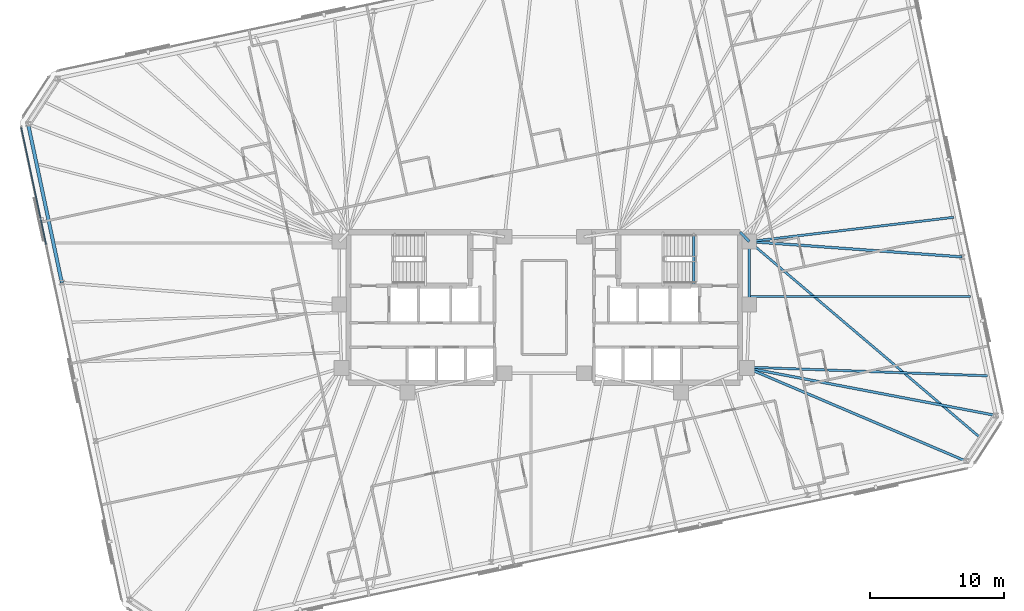
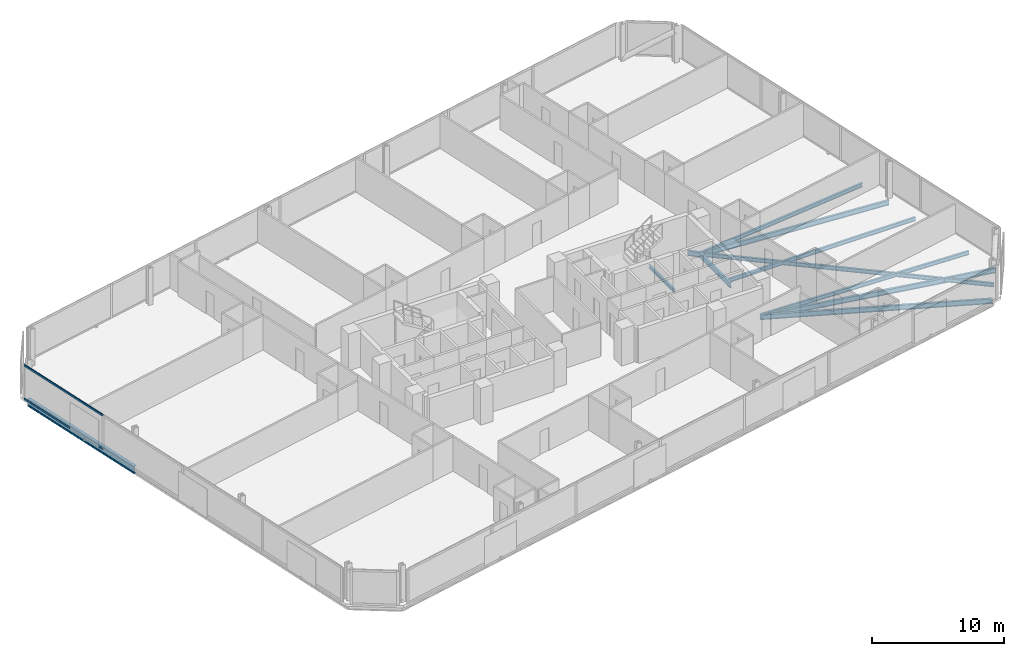
# One storey, part 8 of 19: 11 beams, 2 members, 1 element without a shape of its own.
"""IFC4 building model written with IfcOpenShell, lengths in metres."""

from ifc_helpers import new_model, si_unit, direction, frame, origin, origin_2d, place, context, subcontext, project, spatial, rectangle, i_section, extrude, material, material_profile, profile_set, type_object, element, aggregate, save


model = new_model("IFC4")

# Units and contexts
model_context = context("Model", 3, precision=1e-05, world=origin(), true_north=direction((0.0, 1.0)))
body_context = subcontext(model_context, "Body", "Model", "MODEL_VIEW")
ifc_project = project(units=[si_unit("LENGTHUNIT", "METRE"), si_unit("AREAUNIT", "SQUARE_METRE"), si_unit("VOLUMEUNIT", "CUBIC_METRE"), si_unit("PLANEANGLEUNIT", "RADIAN"), si_unit("MASSUNIT", "GRAM", prefix="KILO")], contexts=[model_context])

# Site, building, storey
site_placement = place(None, origin())
site = spatial("IfcSite", under=ifc_project, at=site_placement, CompositionType="ELEMENT")
building_placement = place(site_placement, origin())
building = spatial("IfcBuilding", under=site, at=building_placement, Name="Menara Jurai Vektor", CompositionType="ELEMENT")
storey_placement = place(building_placement, frame((0.0, 0.0, 195.60009765625)))
storey = spatial("IfcBuildingStorey", under=building, at=storey_placement, Name="L51", CompositionType="ELEMENT", Elevation=195.60009765625)

# Curtain wall, members
ifc_material_1 = material(Name="Anodised Pale Aluminium & Low-E Double Glazing", Category="aluminium")
curtain_wall_type = type_object("IfcCurtainWallType", Name="CW-BLK3", PredefinedType="NOTDEFINED", material=ifc_material_1)
curtain_wall_placement = place(storey_placement, origin())
curtain_wall = element("IfcCurtainWall", 1, at=curtain_wall_placement, inside=storey, type_object=curtain_wall_type, Name="Unitised Curtain Wall L51 F07", PredefinedType="NOTDEFINED")
ifc_material_2 = material(Name="Anodised Pale Aluminium Transom", Category="aluminium")
ifc_material_profile_1 = material_profile(ifc_material_2, rectangle(XDim=0.0849609375, YDim=0.175048828125, at=origin_2d()), Name="ALU TRN 85x175")
ifc_profile_set_1 = profile_set([ifc_material_profile_1], Name="Anodised Pale Aluminium Transom")
member_type = type_object("IfcMemberType", Name="CW-BLK3-TRN", PredefinedType="USERDEFINED", material=ifc_profile_set_1)
member_1_placement = place(storey_placement, frame((-38.896728515625, 13.378173828125, 0.04248046875), z_axis=(0.207899517354, -0.978150188204, 0.0), x_axis=(0.978150188204, 0.207899517354, 0.0)))
member_1 = element("IfcMember", 2, at=member_1_placement, type_object=member_type, Name="CW-03 transom 1.1", ObjectType="TRANSOM", PredefinedType="USERDEFINED", context=body_context, shape_type="SweptSolid", body=[
    extrude(rectangle(XDim=0.0849609375, YDim=0.175048828125, at=origin_2d()), origin(), (0.0, 0.0, 1.0), 8.882568359375),
])
member_2_placement = place(storey_placement, frame((-38.896728515625, 13.378173828125, 3.13232421875), z_axis=(0.207899517354, -0.978150188204, 0.0), x_axis=(0.978150188204, 0.207899517354, 0.0)))
member_2 = element("IfcMember", 3, at=member_2_placement, type_object=member_type, Name="CW-03 transom 1.2", ObjectType="TRANSOM", PredefinedType="USERDEFINED", context=body_context, shape_type="SweptSolid", body=[
    extrude(rectangle(XDim=0.0849609375, YDim=0.175048828125, at=origin_2d()), origin(), (0.0, 0.0, 1.0), 8.882568359375),
])
aggregate(curtain_wall, [member_1, member_2])

# Beams
ifc_material_3 = material(Name="Steel S355", Category="steel")
ifc_material_profile_2 = material_profile(ifc_material_3, i_section(OverallWidth=0.19091796875, OverallDepth=0.4599609375, WebThickness=0.010009765625, FlangeThickness=0.01611328125, FilletRadius=0.010009765625, at=origin_2d()), Name="UKB 457x191x82")
ifc_profile_set_2 = profile_set([ifc_material_profile_2], Name="Steel S355")
beam_type_1 = type_object("IfcBeamType", Name="STR-BM-457", PredefinedType="BEAM", material=ifc_profile_set_2)
beam_1_placement = place(storey_placement, frame((14.56005859375, 5.60009765625, -0.455078125), z_axis=(0.701871936926, -0.712303154672, 0.0), x_axis=(0.712303154672, 0.701871936926, 0.0)))
element("IfcBeam", 4, at=beam_1_placement, inside=storey, type_object=beam_type_1, Name="Core Ring Header Girder L51-CHE-N2", PredefinedType="BEAM", context=body_context, shape_type="SweptSolid", body=[
    extrude(i_section(OverallWidth=0.19091796875, OverallDepth=0.4599609375, WebThickness=0.010009765625, FlangeThickness=0.01611328125, FilletRadius=0.010009765625, at=origin_2d()), origin(), (0.0, 0.0, 1.0), 0.98291015625),
])
beam_2_placement = place(storey_placement, frame((15.25, 0.219970703125, -0.455078125), z_axis=(0.0, 1.0, 0.0), x_axis=(-1.0, 0.0, 0.0)))
element("IfcBeam", 5, at=beam_2_placement, inside=storey, type_object=beam_type_1, Name="Core Ring Header Girder L51-CHE-E1", PredefinedType="BEAM", context=body_context, shape_type="SweptSolid", body=[
    extrude(i_section(OverallWidth=0.19091796875, OverallDepth=0.4599609375, WebThickness=0.010009765625, FlangeThickness=0.01611328125, FilletRadius=0.010009765625, at=origin_2d()), origin(), (0.0, 0.0, 1.0), 4.679931640625),
])
beam_3_placement = place(storey_placement, frame((31.376220703125, -11.438720703125, -0.455078125), z_axis=(-0.920069342045, 0.391755543458, 0.0), x_axis=(-0.391755543458, -0.920069342045, 0.0)))
element("IfcBeam", 6, at=beam_3_placement, inside=storey, type_object=beam_type_1, Name="Radial Floor Girder L51-S6", PredefinedType="BEAM", context=body_context, shape_type="SweptSolid", body=[
    extrude(i_section(OverallWidth=0.19091796875, OverallDepth=0.4599609375, WebThickness=0.010009765625, FlangeThickness=0.01611328125, FilletRadius=0.010009765625, at=origin_2d()), origin(), (0.0, 0.0, 1.0), 17.7119140625),
])
beam_4_placement = place(storey_placement, frame((33.588623046875, -8.031982421875, -0.455078125), z_axis=(-0.982274660407, 0.187447303322, 0.0), x_axis=(-0.187447303322, -0.982274660407, 0.0)))
element("IfcBeam", 7, at=beam_4_placement, inside=storey, type_object=beam_type_1, Name="Radial Floor Girder L51-E1", PredefinedType="BEAM", context=body_context, shape_type="SweptSolid", body=[
    extrude(i_section(OverallWidth=0.19091796875, OverallDepth=0.4599609375, WebThickness=0.010009765625, FlangeThickness=0.01611328125, FilletRadius=0.010009765625, at=origin_2d()), origin(), (0.0, 0.0, 1.0), 18.842529296875),
])
beam_5_placement = place(storey_placement, frame((31.082763671875, 3.75634765625, -0.455078125), z_axis=(-0.997401783921, 0.072039443584, 0.0), x_axis=(-0.072039443584, -0.997401783921, 0.0)))
element("IfcBeam", 8, at=beam_5_placement, inside=storey, type_object=beam_type_1, Name="Radial Floor Girder L51-E2", PredefinedType="BEAM", context=body_context, shape_type="SweptSolid", body=[
    extrude(i_section(OverallWidth=0.19091796875, OverallDepth=0.4599609375, WebThickness=0.010009765625, FlangeThickness=0.01611328125, FilletRadius=0.010009765625, at=origin_2d()), origin(), (0.0, 0.0, 1.0), 15.8740234375),
])
ifc_material_profile_3 = material_profile(ifc_material_3, i_section(OverallWidth=0.172119140625, OverallDepth=0.35498046875, WebThickness=0.007080078125, FlangeThickness=0.011962890625, FilletRadius=0.010009765625, at=origin_2d()), Name="UKB 356x171x51")
ifc_profile_set_3 = profile_set([ifc_material_profile_3], Name="Steel S355")
beam_type_2 = type_object("IfcBeamType", Name="STR-JS-356", PredefinedType="JOIST", material=ifc_profile_set_3)
beam_6_placement = place(storey_placement, frame((32.482421875, -9.7353515625, -0.402587890625), z_axis=(-0.762207822165, 0.6473323998, 0.0), x_axis=(-0.6473323998, -0.762207822165, 0.0)))
element("IfcBeam", 9, at=beam_6_placement, inside=storey, type_object=beam_type_2, Name="Radial Secondary Floor Joist L51-JS10", PredefinedType="JOIST", context=body_context, shape_type="SweptSolid", body=[
    extrude(i_section(OverallWidth=0.172119140625, OverallDepth=0.35498046875, WebThickness=0.007080078125, FlangeThickness=0.011962890625, FilletRadius=0.010009765625, at=origin_2d()), origin(), (0.0, 0.0, 1.0), 22.608642578125),
])
beam_7_placement = place(storey_placement, frame((32.962158203125, -5.0849609375, -0.402587890625), z_axis=(-0.999351908775, 0.035996700238, 0.0), x_axis=(-0.035996700238, -0.999351908775, 0.0)))
element("IfcBeam", 10, at=beam_7_placement, inside=storey, type_object=beam_type_2, Name="Radial Secondary Floor Joist L51-JS11", PredefinedType="JOIST", context=body_context, shape_type="SweptSolid", body=[
    extrude(i_section(OverallWidth=0.172119140625, OverallDepth=0.35498046875, WebThickness=0.007080078125, FlangeThickness=0.011962890625, FilletRadius=0.010009765625, at=origin_2d()), origin(), (0.0, 0.0, 1.0), 17.8916015625),
])
beam_8_placement = place(storey_placement, frame((31.709228515625, 0.809326171875, -0.402587890625), z_axis=(-1.0, 0.0, 0.0), x_axis=(0.0, -1.0, 0.0)))
element("IfcBeam", 11, at=beam_8_placement, inside=storey, type_object=beam_type_2, Name="Radial Secondary Floor Joist L51-JS12", PredefinedType="JOIST", context=body_context, shape_type="SweptSolid", body=[
    extrude(i_section(OverallWidth=0.172119140625, OverallDepth=0.35498046875, WebThickness=0.007080078125, FlangeThickness=0.011962890625, FilletRadius=0.010009765625, at=origin_2d()), origin(), (0.0, 0.0, 1.0), 16.459228515625),
])
beam_9_placement = place(storey_placement, frame((30.456298828125, 6.70361328125, -0.402587890625), z_axis=(-0.993038492178, -0.11779029269, 0.0), x_axis=(0.11779029269, -0.993038492178, 0.0)))
element("IfcBeam", 12, at=beam_9_placement, inside=storey, type_object=beam_type_2, Name="Radial Secondary Floor Joist L51-JS13", PredefinedType="JOIST", context=body_context, shape_type="SweptSolid", body=[
    extrude(i_section(OverallWidth=0.172119140625, OverallDepth=0.35498046875, WebThickness=0.007080078125, FlangeThickness=0.011962890625, FilletRadius=0.010009765625, at=origin_2d()), origin(), (0.0, 0.0, 1.0), 15.31298828125),
])
ifc_material_profile_4 = material_profile(ifc_material_3, i_section(OverallWidth=0.1650390625, OverallDepth=0.302978515625, WebThickness=0.006103515625, FlangeThickness=0.010009765625, FilletRadius=0.009033203125, at=origin_2d()), Name="UKB 305x165x40")
ifc_profile_set_4 = profile_set([ifc_material_profile_4], Name="Steel S355")
beam_type_3 = type_object("IfcBeamType", Name="STR-LN-305", PredefinedType="LINTEL", material=ifc_profile_set_4)
beam_10_placement = place(storey_placement, frame((11.1201171875, 1.60009765625, -0.376708984375), z_axis=(0.0, 1.0, 0.0), x_axis=(-1.0, 0.0, 0.0)))
element("IfcBeam", 13, at=beam_10_placement, inside=storey, type_object=beam_type_3, Name="Stair Well Floor Trimmer ST2 L51", PredefinedType="LINTEL", context=body_context, shape_type="SweptSolid", body=[
    extrude(i_section(OverallWidth=0.1650390625, OverallDepth=0.302978515625, WebThickness=0.006103515625, FlangeThickness=0.010009765625, FilletRadius=0.009033203125, at=origin_2d()), origin(), (0.0, 0.0, 1.0), 3.81982421875),
])
ifc_material_4 = material(Name="Steel S460", Category="steel")
ifc_material_profile_5 = material_profile(ifc_material_4, i_section(OverallWidth=0.256103515625, OverallDepth=0.693115234375, WebThickness=0.013916015625, FlangeThickness=0.02392578125, FilletRadius=0.014892578125, at=origin_2d()), Name="UKB 686x254x170")
ifc_profile_set_5 = profile_set([ifc_material_profile_5], Name="Steel S460")
beam_type_4 = type_object("IfcBeamType", Name="STR-SP-686", PredefinedType="SPANDREL", material=ifc_profile_set_5)
beam_11_placement = place(storey_placement, frame((-38.388671875, 13.632080078125, -0.571533203125), z_axis=(0.207921262698, -0.978145566119, 0.0), x_axis=(0.978145566119, 0.207921262698, 0.0)))
element("IfcBeam", 14, at=beam_11_placement, inside=storey, type_object=beam_type_4, Name="Exoskeleton Spandrel Beam L51-17", PredefinedType="SPANDREL", context=body_context, shape_type="SweptSolid", body=[
    extrude(i_section(OverallWidth=0.256103515625, OverallDepth=0.693115234375, WebThickness=0.013916015625, FlangeThickness=0.02392578125, FilletRadius=0.014892578125, at=origin_2d()), origin(), (0.0, 0.0, 1.0), 12.052001953125),
])

save(model, "model.ifc")
